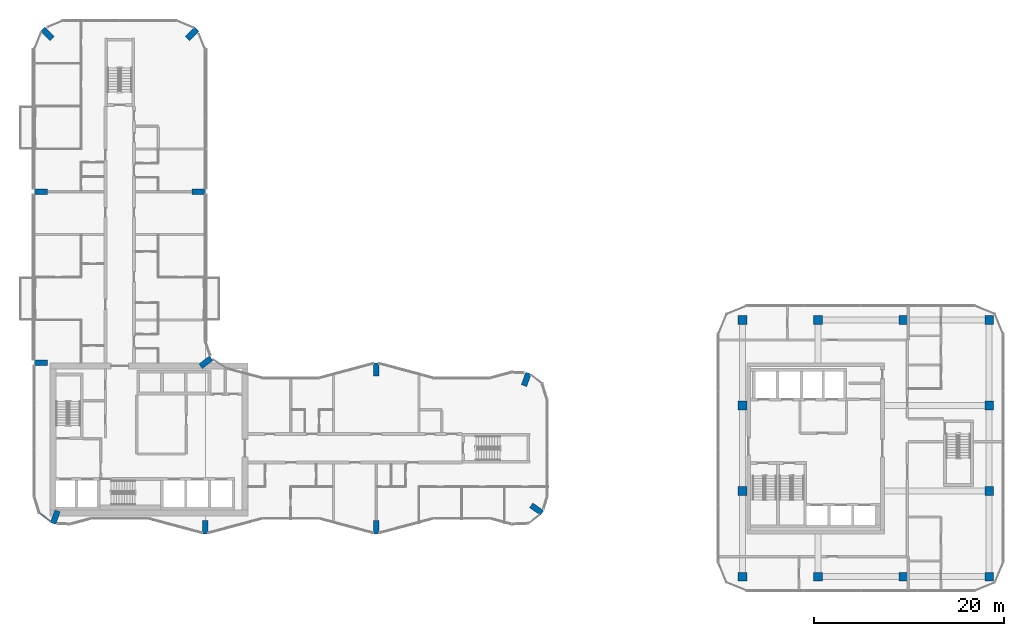
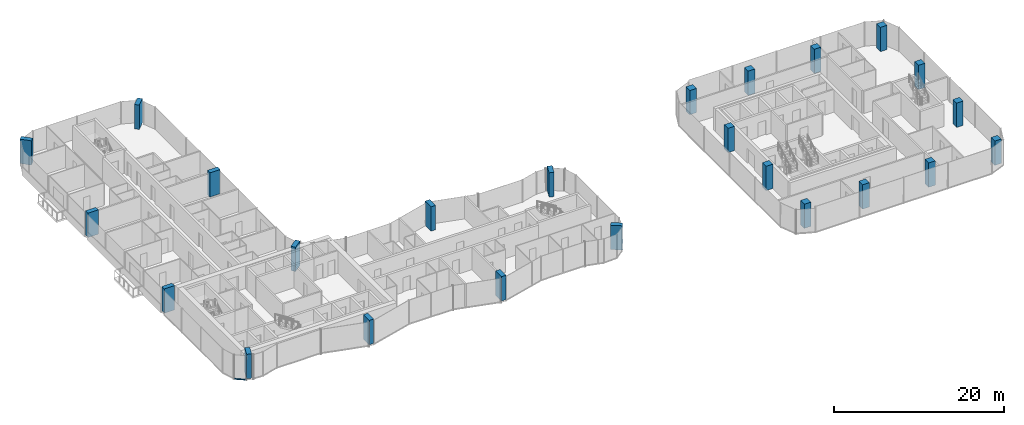
# One storey, part 1 of 22: 24 columns, 1 member, 1 element without a shape of its own.
"""IFC4 building model written with IfcOpenShell, lengths in metres."""

from ifc_helpers import new_model, si_unit, direction, frame, origin, origin_2d, place, context, subcontext, project, spatial, rectangle, extrude, material, layer, layer_set, material_profile, profile_set, type_object, element, aggregate, save


model = new_model("IFC4")

# Units and contexts
model_context = context("Model", 3, precision=1e-05, world=origin(), true_north=direction((0.0, 1.0)))
body_context = subcontext(model_context, "Body", "Model", "MODEL_VIEW")
ifc_project = project(units=[si_unit("LENGTHUNIT", "METRE"), si_unit("AREAUNIT", "SQUARE_METRE"), si_unit("VOLUMEUNIT", "CUBIC_METRE"), si_unit("PLANEANGLEUNIT", "RADIAN"), si_unit("MASSUNIT", "GRAM", prefix="KILO")], contexts=[model_context])

# Site, building, storey
site_placement = place(None, origin())
site = spatial("IfcSite", under=ifc_project, at=site_placement, CompositionType="ELEMENT")
building_placement = place(site_placement, origin())
building = spatial("IfcBuilding", under=site, at=building_placement, Name="Plateau Cross Towers", CompositionType="ELEMENT")
storey_placement = place(building_placement, frame((0.0, 0.0, 113.300048828125)))
storey = spatial("IfcBuildingStorey", under=building, at=storey_placement, Name="L29", CompositionType="ELEMENT", Elevation=113.300048828125)

# Columns
ifc_material_1 = material(Name="Concrete C60/75", Category="concrete")
ifc_material_profile_1 = material_profile(ifc_material_1, rectangle(XDim=0.60009765625, YDim=1.39990234375, at=origin_2d()), Name="RC 600x1400")
ifc_profile_set_1 = profile_set([ifc_material_profile_1], Name="Concrete C60/75")
column_type_1 = type_object("IfcColumnType", Name="Fin pier column RC 600x1400", PredefinedType="COLUMN", material=ifc_profile_set_1)
for number, where, z_axis, x_axis, name in (
    (1, (18.0, 0.699951171875, 0.0), (0.0, 0.0, 1.0), (1.0, 0.0, 0.0), "PR1 L29"),
    (2, (36.0, 0.699951171875, 0.0), (0.0, 0.0, 1.0), (1.0, 0.0, 0.0), "PR2 L29"),
    (3, (52.884033203125, 2.590087890625, 0.0), (0.0, 0.0, 1.0), (0.573542637991, 0.819175709117, 0.0), "PR3 L29"),
    (4, (51.786865234375, 16.251953125, 0.0), (0.0, 0.0, 1.0), (-0.939664280925, 0.342097996418, 0.0), "PR4 L29"),
    (5, (36.0, 17.300048828125, 0.0), (0.0, 0.0, 1.0), (1.0, 0.0, 0.0), "PR5 L29"),
    (6, (18.064697265625, 18.049560546875, 0.0), (0.0, 0.0, 1.0), (-0.608810846443, 0.793315418515, 0.0), "PR6 L29"),
    (7, (17.300048828125, 36.0, 0.0), (0.0, 0.0, 1.0), (0.0, 1.0, 0.0), "PR7 L29"),
    (8, (16.62646484375, 52.62646484375, 0.0), (0.0, 0.0, 1.0), (-0.707106781187, 0.707106781187, 0.0), "PR8 L29"),
    (9, (1.37353515625, 52.62646484375, 0.0), (0.0, 0.0, 1.0), (0.707106781187, 0.707106781187, 0.0), "PR9 L29"),
    (10, (0.699951171875, 36.0, 0.0), (0.0, 0.0, 1.0), (0.0, 1.0, 0.0), "PR10 L29"),
    (11, (0.699951171875, 18.0, 0.0), (0.0, 0.0, 1.0), (0.0, 1.0, 0.0), "PR11 L29"),
    (12, (2.213134765625, 1.748046875, 0.0), (0.0, 0.0, 1.0), (-0.939664280925, 0.342097996418, 0.0), "PR12 L29"),
):
    element("IfcColumn", number, at=place(storey_placement, frame(where, z_axis=z_axis, x_axis=x_axis)), inside=storey, type_object=column_type_1, Name=name, PredefinedType="COLUMN", context=body_context, shape_type="SweptSolid", body=[
        extrude(rectangle(XDim=0.60009765625, YDim=1.39990234375, at=origin_2d()), origin(), (0.0, 0.0, 1.0), 3.5),
    ])
ifc_material_profile_2 = material_profile(ifc_material_1, rectangle(XDim=0.89990234375, YDim=0.89990234375, at=origin_2d()), Name="RC 900x900")
ifc_profile_set_2 = profile_set([ifc_material_profile_2], Name="Concrete C60/75")
column_type_2 = type_object("IfcColumnType", Name="Office column RC 900x900", PredefinedType="COLUMN", material=ifc_profile_set_2)
for number, where, z_axis, x_axis, name in (
    (13, (74.550048828125, -4.5, 0.0), (0.0, 0.0, 1.0), (1.0, 0.0, 0.0), "B-C746_-45 L29"),
    (14, (82.5, -4.5, 0.0), (0.0, 0.0, 1.0), (1.0, 0.0, 0.0), "B-C825_-45 L29"),
    (15, (91.5, -4.5, 0.0), (0.0, 0.0, 1.0), (1.0, 0.0, 0.0), "B-C915_-45 L29"),
    (16, (100.5, -4.5, 0.0), (0.0, 0.0, 1.0), (1.0, 0.0, 0.0), "B-C1005_-45 L29"),
    (17, (100.5, 4.5, 0.0), (0.0, 0.0, 1.0), (1.0, 0.0, 0.0), "B-C1005_45 L29"),
    (18, (100.5, 13.5, 0.0), (0.0, 0.0, 1.0), (1.0, 0.0, 0.0), "B-C1005_135 L29"),
    (19, (100.5, 22.5, 0.0), (0.0, 0.0, 1.0), (1.0, 0.0, 0.0), "B-C1005_225 L29"),
    (20, (91.5, 22.5, 0.0), (0.0, 0.0, 1.0), (1.0, 0.0, 0.0), "B-C915_225 L29"),
    (21, (82.5, 22.5, 0.0), (0.0, 0.0, 1.0), (1.0, 0.0, 0.0), "B-C825_225 L29"),
    (22, (74.550048828125, 22.5, 0.0), (0.0, 0.0, 1.0), (1.0, 0.0, 0.0), "B-C746_225 L29"),
    (23, (74.550048828125, 13.5, 0.0), (0.0, 0.0, 1.0), (1.0, 0.0, 0.0), "B-C746_135 L29"),
    (24, (74.550048828125, 4.5, 0.0), (0.0, 0.0, 1.0), (1.0, 0.0, 0.0), "B-C746_45 L29"),
):
    element("IfcColumn", number, at=place(storey_placement, frame(where, z_axis=z_axis, x_axis=x_axis)), inside=storey, type_object=column_type_2, Name=name, PredefinedType="COLUMN", context=body_context, shape_type="SweptSolid", body=[
        extrude(rectangle(XDim=0.89990234375, YDim=0.89990234375, at=origin_2d()), origin(), (0.0, 0.0, 1.0), 3.5),
    ])

# Curtain wall, member
ifc_material_2 = material(Name="Dark low-iron glass", Category="glass")
ifc_layer = layer(ifc_material_2, 0.239990234375)
ifc_layer_set = layer_set([ifc_layer], Name="Dark low-iron glass")
curtain_wall_type = type_object("IfcCurtainWallType", Name="Curtain wall flush unitised CW-B", PredefinedType="NOTDEFINED", material=ifc_layer_set)
curtain_wall_placement = place(storey_placement, origin())
curtain_wall = element("IfcCurtainWall", 25, at=curtain_wall_placement, inside=storey, type_object=curtain_wall_type, Name="ENV/A/L29/A5_22", PredefinedType="NOTDEFINED")
ifc_material_3 = material(Name="Black anodised aluminium", Category="aluminium")
ifc_material_profile_3 = material_profile(ifc_material_3, rectangle(XDim=0.10009765625, YDim=0.1201171875, at=origin_2d()), Name="TRANSOM 100x120")
ifc_profile_set_3 = profile_set([ifc_material_profile_3], Name="Black anodised aluminium")
member_type = type_object("IfcMemberType", Name="Transom 100x120 flush unitised", PredefinedType="USERDEFINED", material=ifc_profile_set_3)
member_placement = place(storey_placement, frame((0.54248046875, 2.1884765625, -0.18994140625), z_axis=(0.793320508571, -0.608804213751, 0.0), x_axis=(0.608804213751, 0.793320508571, 0.0)))
member = element("IfcMember", 26, at=member_placement, type_object=member_type, Name="CW-B transom", ObjectType="TRANSOM", PredefinedType="USERDEFINED", context=body_context, shape_type="SweptSolid", body=[
    extrude(rectangle(XDim=0.10009765625, YDim=0.1201171875, at=origin_2d()), origin(), (0.0, 0.0, 1.0), 1.471435546875),
])
aggregate(curtain_wall, [member])

save(model, "model.ifc")
